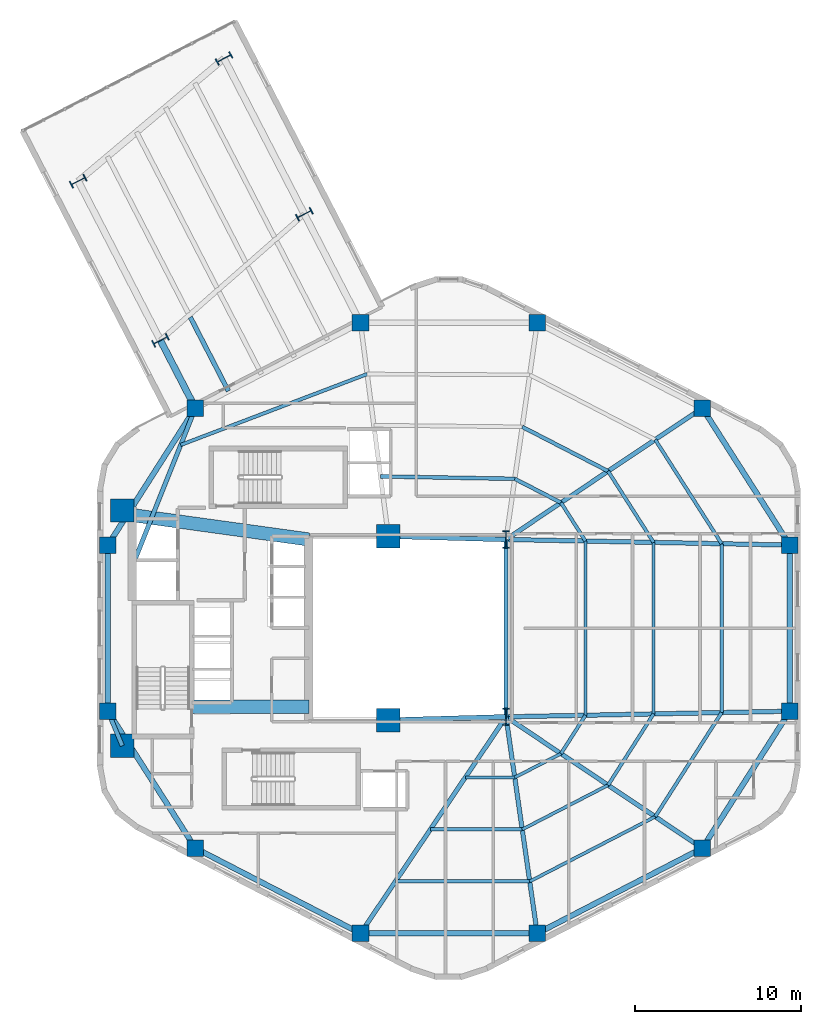
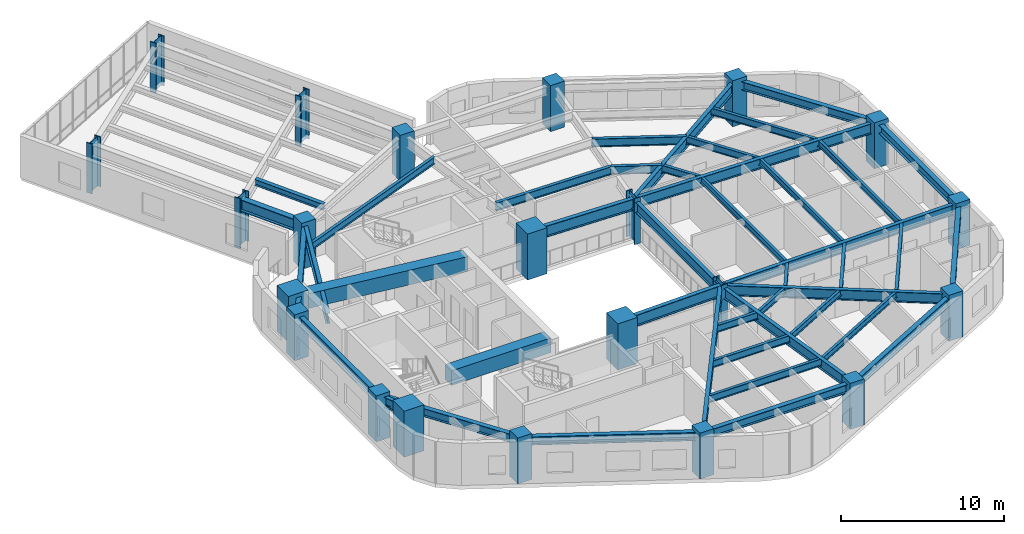
# One storey, part 1 of 11: 43 beams, 22 columns.
"""IFC4 building model written with IfcOpenShell, lengths in metres."""

from ifc_helpers import new_model, si_unit, direction, frame, origin, origin_2d, place, context, subcontext, project, spatial, rectangle, i_section, extrude, material, material_profile, profile_set, type_object, element, save


model = new_model("IFC4")

# Units and contexts
model_context = context("Model", 3, precision=1e-05, world=origin(), true_north=direction((0.0, 1.0)))
body_context = subcontext(model_context, "Body", "Model", "MODEL_VIEW")
ifc_project = project(units=[si_unit("LENGTHUNIT", "METRE"), si_unit("AREAUNIT", "SQUARE_METRE"), si_unit("VOLUMEUNIT", "CUBIC_METRE"), si_unit("PLANEANGLEUNIT", "RADIAN"), si_unit("MASSUNIT", "GRAM", prefix="KILO"), si_unit("THERMODYNAMICTEMPERATUREUNIT", "KELVIN"), si_unit("POWERUNIT", "WATT")], contexts=[model_context])

# Site, building, storey
site_placement = place(None, origin())
site = spatial("IfcSite", under=ifc_project, at=site_placement, CompositionType="ELEMENT")
building_placement = place(site_placement, origin())
building = spatial("IfcBuilding", under=site, at=building_placement, Name="Skarre Station Tower", CompositionType="ELEMENT")
storey_placement = place(building_placement, frame((0.0, 0.0, 139.5)))
storey = spatial("IfcBuildingStorey", under=building, at=storey_placement, Name="L37", CompositionType="ELEMENT", Elevation=139.5)

# Columns
ifc_material_1 = material(Name="Concrete C60/75", Category="concrete")
ifc_material_profile_1 = material_profile(ifc_material_1, rectangle(XDim=1.0, YDim=1.0, at=origin_2d()), Name="Concrete C60/75")
ifc_profile_set_1 = profile_set([ifc_material_profile_1], Name="Concrete C60/75")
column_type_1 = type_object("IfcColumnType", Name="RC Structural Column RC-COL-1000X1000", PredefinedType="COLUMN", material=ifc_profile_set_1)
for number, where, z_axis, x_axis, name in (
    (1, (51.291015625, 37.277099609375, 0.0), (0.0, 0.0, 1.0), (1.0, 0.0, 0.0), "L37 Zone 2 Perimeter Column F0C1"),
    (2, (41.3310546875, 42.41796875, 0.0), (0.0, 0.0, 1.0), (1.0, 0.0, 0.0), "L37 Zone 2 Perimeter Column F0C2"),
    (3, (30.6689453125, 42.41796875, 0.0), (0.0, 0.0, 1.0), (1.0, 0.0, 0.0), "L37 Zone 2 Perimeter Column F1C1"),
    (4, (20.708984375, 37.277099609375, 0.0), (0.0, 0.0, 1.0), (1.0, 0.0, 0.0), "L37 Zone 2 Perimeter Column F1C2"),
    (5, (15.431884765625, 29.010986328125, 0.0), (0.0, 0.0, 1.0), (1.0, 0.0, 0.0), "L37 Zone 2 Perimeter Column F2C1"),
    (6, (15.431884765625, 18.989013671875, 0.0), (0.0, 0.0, 1.0), (1.0, 0.0, 0.0), "L37 Zone 2 Perimeter Column F2C2"),
    (7, (20.708984375, 10.722900390625, 0.0), (0.0, 0.0, 1.0), (1.0, 0.0, 0.0), "L37 Zone 2 Perimeter Column F3C1"),
    (8, (30.6689453125, 5.58203125, 0.0), (0.0, 0.0, 1.0), (1.0, 0.0, 0.0), "L37 Zone 2 Perimeter Column F3C2"),
    (9, (41.3310546875, 5.58203125, 0.0), (0.0, 0.0, 1.0), (1.0, 0.0, 0.0), "L37 Zone 2 Perimeter Column F4C1"),
    (10, (51.291015625, 10.722900390625, 0.0), (0.0, 0.0, 1.0), (1.0, 0.0, 0.0), "L37 Zone 2 Perimeter Column F4C2"),
    (11, (56.568115234375, 18.989013671875, 0.0), (0.0, 0.0, 1.0), (1.0, 0.0, 0.0), "L37 Zone 2 Perimeter Column F5C1"),
    (12, (56.568115234375, 29.010986328125, 0.0), (0.0, 0.0, 1.0), (1.0, 0.0, 0.0), "L37 Zone 2 Perimeter Column F5C2"),
):
    element("IfcColumn", number, at=place(storey_placement, frame(where, z_axis=z_axis, x_axis=x_axis)), inside=storey, type_object=column_type_1, Name=name, PredefinedType="COLUMN", context=body_context, shape_type="SweptSolid", body=[
        extrude(rectangle(XDim=1.0, YDim=1.0, at=origin_2d()), origin(), (0.0, 0.0, 1.0), 3.449951171875),
    ])
ifc_material_2 = material(Name="Concrete C70/85", Category="concrete")
ifc_material_profile_2 = material_profile(ifc_material_2, rectangle(XDim=1.39990234375, YDim=1.39990234375, at=origin_2d()), Name="Concrete C70/85")
ifc_profile_set_2 = profile_set([ifc_material_profile_2], Name="Concrete C70/85")
column_type_2 = type_object("IfcColumnType", Name="RC Structural Column RC-COL-1400X1400", PredefinedType="COLUMN", material=ifc_profile_set_2)
for number, where, z_axis, x_axis, name in (
    (13, (16.300048828125, 16.89990234375, 0.0), (0.0, 0.0, 1.0), (1.0, 0.0, 0.0), "L37 Core Column CC-SW"),
    (14, (16.300048828125, 31.10009765625, 0.0), (0.0, 0.0, 1.0), (1.0, 0.0, 0.0), "L37 Core Column CC-NW"),
    (15, (32.35009765625, 18.449951171875, 0.0), (0.0, 0.0, 1.0), (1.0, 0.0, 0.0), "L37 Core Column CC-SE"),
    (16, (32.35009765625, 29.550048828125, 0.0), (0.0, 0.0, 1.0), (1.0, 0.0, 0.0), "L37 Core Column CC-NE"),
):
    element("IfcColumn", number, at=place(storey_placement, frame(where, z_axis=z_axis, x_axis=x_axis)), inside=storey, type_object=column_type_2, Name=name, PredefinedType="COLUMN", context=body_context, shape_type="SweptSolid", body=[
        extrude(rectangle(XDim=1.39990234375, YDim=1.39990234375, at=origin_2d()), origin(), (0.0, 0.0, 1.0), 3.449951171875),
    ])
ifc_material_3 = material(Name="Steel ASTM A913 Grade 65", Category="steel")
ifc_material_profile_3 = material_profile(ifc_material_3, i_section(OverallWidth=0.430908203125, OverallDepth=0.987060546875, WebThickness=0.033935546875, FlangeThickness=0.06201171875, at=origin_2d()), Name="Steel ASTM A913 Grade 65")
ifc_profile_set_3 = profile_set([ifc_material_profile_3], Name="Steel ASTM A913 Grade 65")
column_type_3 = type_object("IfcColumnType", Name="Steel Column W36X441", PredefinedType="COLUMN", material=ifc_profile_set_3)
for number, where, z_axis, x_axis, name in (
    (17, (27.283935546875, 48.97607421875, -0.2900390625), (0.0, 0.0, 1.0), (-0.458649554484, 0.888617232655, 0.0), "L37 SB-3 Sky-Bar Frame Column M1"),
    (18, (18.59912109375, 41.364990234375, -0.2900390625), (0.0, 0.0, 1.0), (-0.458649554484, 0.888617232655, 0.0), "L37 SB-3 Sky-Bar Frame Column M2"),
    (19, (22.43603515625, 58.367919921875, -0.2900390625), (0.0, 0.0, 1.0), (-0.458649554484, 0.888617232655, 0.0), "L37 SB-3 Sky-Bar Frame Column T1"),
    (20, (13.64111328125, 50.969970703125, -0.2900390625), (0.0, 0.0, 1.0), (-0.458649554484, 0.888617232655, 0.0), "L37 SB-3 Sky-Bar Frame Column T2"),
):
    element("IfcColumn", number, at=place(storey_placement, frame(where, z_axis=z_axis, x_axis=x_axis)), inside=storey, type_object=column_type_3, Name=name, PredefinedType="COLUMN", context=body_context, shape_type="SweptSolid", body=[
        extrude(i_section(OverallWidth=0.430908203125, OverallDepth=0.987060546875, WebThickness=0.033935546875, FlangeThickness=0.06201171875, at=origin_2d()), origin(), (0.0, 0.0, 1.0), 3.739990234375),
    ])
ifc_material_profile_4 = material_profile(ifc_material_3, i_section(OverallWidth=0.409912109375, OverallDepth=1.041015625, WebThickness=0.031005859375, FlangeThickness=0.055908203125, at=origin_2d()), Name="Steel ASTM A913 Grade 65")
ifc_profile_set_4 = profile_set([ifc_material_profile_4], Name="Steel ASTM A913 Grade 65")
column_type_4 = type_object("IfcColumnType", Name="Steel Column W40X397", PredefinedType="COLUMN", material=ifc_profile_set_4)
for number, where, z_axis, x_axis, name in (
    (21, (39.449951171875, 18.64990234375, 0.0), (0.0, 0.0, 1.0), (1.0, 0.0, 0.0), "L37 Atrium Spine Column AC-SE"),
    (22, (39.449951171875, 29.35009765625, 0.0), (0.0, 0.0, 1.0), (1.0, 0.0, 0.0), "L37 Atrium Spine Column AC-NE"),
):
    element("IfcColumn", number, at=place(storey_placement, frame(where, z_axis=z_axis, x_axis=x_axis)), inside=storey, type_object=column_type_4, Name=name, PredefinedType="COLUMN", context=body_context, shape_type="SweptSolid", body=[
        extrude(i_section(OverallWidth=0.409912109375, OverallDepth=1.041015625, WebThickness=0.031005859375, FlangeThickness=0.055908203125, at=origin_2d()), origin(), (0.0, 0.0, 1.0), 3.449951171875),
    ])

# Beams
ifc_material_profile_5 = material_profile(ifc_material_2, rectangle(XDim=0.800048828125, YDim=1.10009765625, at=origin_2d()), Name="Concrete C70/85")
ifc_profile_set_5 = profile_set([ifc_material_profile_5], Name="Concrete C70/85")
beam_type_1 = type_object("IfcBeamType", Name="RC Core Coupling Lintel 800x1100", PredefinedType="LINTEL", material=ifc_profile_set_5)
beam_1_placement = place(storey_placement, frame((20.489990234375, 19.260009765625, 2.610107421875), z_axis=(1.0, 0.0, 0.0), x_axis=(0.0, 1.0, 0.0)))
element("IfcBeam", 23, at=beam_1_placement, inside=storey, type_object=beam_type_1, Name="L37 South Core Coupling Lintel", PredefinedType="LINTEL", context=body_context, shape_type="SweptSolid", body=[
    extrude(rectangle(XDim=0.800048828125, YDim=1.10009765625, at=origin_2d()), origin(), (0.0, 0.0, 1.0), 7.06005859375),
])
beam_2_placement = place(storey_placement, frame((17.050048828125, 30.800048828125, 2.610107421875), z_axis=(0.990599723633, -0.136792498109, 0.0), x_axis=(0.136792498109, 0.990599723633, 0.0)))
element("IfcBeam", 24, at=beam_2_placement, inside=storey, type_object=beam_type_1, Name="L37 North Core Coupling Lintel", PredefinedType="LINTEL", context=body_context, shape_type="SweptSolid", body=[
    extrude(rectangle(XDim=0.800048828125, YDim=1.10009765625, at=origin_2d()), origin(), (0.0, 0.0, 1.0), 10.599609375),
])
ifc_material_4 = material(Name="Steel ASTM A992 Grade 50", Category="steel")
ifc_material_profile_6 = material_profile(ifc_material_4, i_section(OverallWidth=0.26806640625, OverallDepth=0.77001953125, WebThickness=0.01611328125, FlangeThickness=0.02490234375, at=origin_2d()), Name="Steel ASTM A992 Grade 50")
ifc_profile_set_6 = profile_set([ifc_material_profile_6], Name="Steel ASTM A992 Grade 50")
beam_type_2 = type_object("IfcBeamType", Name="Steel Beam W30X132", PredefinedType="BEAM", material=ifc_profile_set_6)
beam_3_placement = place(storey_placement, frame((39.449951171875, 18.64990234375, 2.77490234375), z_axis=(0.0, 1.0, 0.0), x_axis=(-1.0, 0.0, 0.0)))
element("IfcBeam", 25, at=beam_3_placement, inside=storey, type_object=beam_type_2, Name="L37 Atrium East Edge Girder", PredefinedType="BEAM", context=body_context, shape_type="SweptSolid", body=[
    extrude(i_section(OverallWidth=0.26806640625, OverallDepth=0.77001953125, WebThickness=0.01611328125, FlangeThickness=0.02490234375, at=origin_2d()), origin(), (0.0, 0.0, 1.0), 10.7001953125),
])
beam_4_placement = place(storey_placement, frame((39.449951171875, 29.35009765625, 2.77490234375), z_axis=(0.830981218317, 0.556300471692, 0.0), x_axis=(-0.556300471692, 0.830981218317, 0.0)))
element("IfcBeam", 26, at=beam_4_placement, inside=storey, type_object=beam_type_2, Name="L37 Radial Floor Girder F0C1", PredefinedType="BEAM", context=body_context, shape_type="SweptSolid", body=[
    extrude(i_section(OverallWidth=0.26806640625, OverallDepth=0.77001953125, WebThickness=0.01611328125, FlangeThickness=0.02490234375, at=origin_2d()), origin(), (0.0, 0.0, 1.0), 14.24951171875),
])
beam_5_placement = place(storey_placement, frame((17.010009765625, 28.0, 2.77490234375), z_axis=(0.370366288946, 0.928885790618, 0.0), x_axis=(-0.928885790618, 0.370366288946, 0.0)))
element("IfcBeam", 27, at=beam_5_placement, inside=storey, type_object=beam_type_2, Name="L37 Radial Floor Girder F1C2", PredefinedType="BEAM", context=body_context, shape_type="SweptSolid", body=[
    extrude(i_section(OverallWidth=0.26806640625, OverallDepth=0.77001953125, WebThickness=0.01611328125, FlangeThickness=0.02490234375, at=origin_2d()), origin(), (0.0, 0.0, 1.0), 9.9873046875),
])
beam_6_placement = place(storey_placement, frame((16.300048828125, 16.89990234375, 2.77490234375), z_axis=(-0.383749333092, 0.923437301256, 0.0), x_axis=(-0.923437301256, -0.383749333092, 0.0)))
element("IfcBeam", 28, at=beam_6_placement, inside=storey, type_object=beam_type_2, Name="L37 Radial Floor Girder F2C2", PredefinedType="BEAM", context=body_context, shape_type="SweptSolid", body=[
    extrude(i_section(OverallWidth=0.26806640625, OverallDepth=0.77001953125, WebThickness=0.01611328125, FlangeThickness=0.02490234375, at=origin_2d()), origin(), (0.0, 0.0, 1.0), 2.26220703125),
])
beam_7_placement = place(storey_placement, frame((39.449951171875, 18.64990234375, 2.77490234375), z_axis=(-0.55773464691, -0.830019315219, 0.0), x_axis=(0.830019315219, -0.55773464691, 0.0)))
element("IfcBeam", 29, at=beam_7_placement, inside=storey, type_object=beam_type_2, Name="L37 Radial Floor Girder F3C2", PredefinedType="BEAM", context=body_context, shape_type="SweptSolid", body=[
    extrude(i_section(OverallWidth=0.26806640625, OverallDepth=0.77001953125, WebThickness=0.01611328125, FlangeThickness=0.02490234375, at=origin_2d()), origin(), (0.0, 0.0, 1.0), 15.744140625),
])
beam_8_placement = place(storey_placement, frame((39.449951171875, 18.64990234375, 2.77490234375), z_axis=(0.142480121776, -0.989797663616, 0.0), x_axis=(0.989797663616, 0.142480121776, 0.0)))
element("IfcBeam", 30, at=beam_8_placement, inside=storey, type_object=beam_type_2, Name="L37 Radial Floor Girder F4C1", PredefinedType="BEAM", context=body_context, shape_type="SweptSolid", body=[
    extrude(i_section(OverallWidth=0.26806640625, OverallDepth=0.77001953125, WebThickness=0.01611328125, FlangeThickness=0.02490234375, at=origin_2d()), origin(), (0.0, 0.0, 1.0), 13.20263671875),
])
beam_9_placement = place(storey_placement, frame((39.449951171875, 18.64990234375, 2.77490234375), z_axis=(0.830981218317, -0.556300471692, 0.0), x_axis=(0.556300471692, 0.830981218317, 0.0)))
element("IfcBeam", 31, at=beam_9_placement, inside=storey, type_object=beam_type_2, Name="L37 Radial Floor Girder F4C2", PredefinedType="BEAM", context=body_context, shape_type="SweptSolid", body=[
    extrude(i_section(OverallWidth=0.26806640625, OverallDepth=0.77001953125, WebThickness=0.01611328125, FlangeThickness=0.02490234375, at=origin_2d()), origin(), (0.0, 0.0, 1.0), 14.24951171875),
])
for number, where, z_axis, x_axis, name in (
    (32, (39.449951171875, 18.64990234375, 2.77490234375), (0.999803839107, 0.019806143142, 0.0), (-0.019806143142, 0.999803839107, 0.0), "L37 Radial Floor Girder F5C1"),
    (33, (39.449951171875, 29.35009765625, 2.77490234375), (0.999803839107, -0.019806143142, 0.0), (0.019806143142, 0.999803839107, 0.0), "L37 Radial Floor Girder F5C2"),
):
    element("IfcBeam", number, at=place(storey_placement, frame(where, z_axis=z_axis, x_axis=x_axis)), inside=storey, type_object=beam_type_2, Name=name, PredefinedType="BEAM", context=body_context, shape_type="SweptSolid", body=[
        extrude(i_section(OverallWidth=0.26806640625, OverallDepth=0.77001953125, WebThickness=0.01611328125, FlangeThickness=0.02490234375, at=origin_2d()), origin(), (0.0, 0.0, 1.0), 17.12158203125),
    ])
ifc_material_profile_7 = material_profile(ifc_material_4, i_section(OverallWidth=0.2919921875, OverallDepth=0.85888671875, WebThickness=0.01708984375, FlangeThickness=0.031005859375, at=origin_2d()), Name="Steel ASTM A992 Grade 50")
ifc_profile_set_7 = profile_set([ifc_material_profile_7], Name="Steel ASTM A992 Grade 50")
beam_type_3 = type_object("IfcBeamType", Name="Steel Beam W33X169", PredefinedType="BEAM", material=ifc_profile_set_7)
for number, where, z_axis, x_axis, name in (
    (34, (32.35009765625, 18.449951171875, 2.73095703125), (0.999603666405, 0.028151556095, 0.0), (-0.028151556095, 0.999603666405, 0.0), "L37 Atrium South Edge Girder"),
    (35, (32.35009765625, 29.550048828125, 2.73095703125), (0.999603666405, -0.028151556095, 0.0), (0.028151556095, 0.999603666405, 0.0), "L37 Atrium North Edge Girder"),
):
    element("IfcBeam", number, at=place(storey_placement, frame(where, z_axis=z_axis, x_axis=x_axis)), inside=storey, type_object=beam_type_3, Name=name, PredefinedType="BEAM", context=body_context, shape_type="SweptSolid", body=[
        extrude(i_section(OverallWidth=0.2919921875, OverallDepth=0.85888671875, WebThickness=0.01708984375, FlangeThickness=0.031005859375, at=origin_2d()), origin(), (0.0, 0.0, 1.0), 7.102783203125),
    ])
ifc_material_profile_8 = material_profile(ifc_material_4, i_section(OverallWidth=0.40087890625, OverallDepth=0.876953125, WebThickness=0.02197265625, FlangeThickness=0.0400390625, at=origin_2d()), Name="Steel ASTM A992 Grade 50")
ifc_profile_set_8 = profile_set([ifc_material_profile_8], Name="Steel ASTM A992 Grade 50")
beam_type_4 = type_object("IfcBeamType", Name="Steel Beam W33X263", PredefinedType="BEAM", material=ifc_profile_set_8)
beam_10_placement = place(storey_placement, frame((20.708984375, 37.277099609375, 2.720947265625), z_axis=(-0.458640216065, 0.88862205251, 0.0), x_axis=(-0.88862205251, -0.458640216065, 0.0)))
element("IfcBeam", 36, at=beam_10_placement, inside=storey, type_object=beam_type_4, Name="L37 SB-3 Side 2 Inner Girder", PredefinedType="BEAM", context=body_context, shape_type="SweptSolid", body=[
    extrude(i_section(OverallWidth=0.40087890625, OverallDepth=0.876953125, WebThickness=0.02197265625, FlangeThickness=0.0400390625, at=origin_2d()), origin(), (0.0, 0.0, 1.0), 4.600341796875),
])
ifc_material_profile_9 = material_profile(ifc_material_4, i_section(OverallWidth=0.19091796875, OverallDepth=0.45703125, WebThickness=0.009033203125, FlangeThickness=0.013916015625, at=origin_2d()), Name="Steel ASTM A992 Grade 50")
ifc_profile_set_9 = profile_set([ifc_material_profile_9], Name="Steel ASTM A992 Grade 50")
beam_type_5 = type_object("IfcBeamType", Name="Steel Joist W18X50", PredefinedType="JOIST", material=ifc_profile_set_9)
beam_11_placement = place(storey_placement, frame((39.97705078125, 14.990966796875, 2.930908203125), z_axis=(0.88861042596, 0.458662741975, 0.0), x_axis=(-0.458662741975, 0.88861042596, 0.0)))
element("IfcBeam", 37, at=beam_11_placement, inside=storey, type_object=beam_type_5, Name="L37 Auxiliary Composite Joist 13", PredefinedType="JOIST", context=body_context, shape_type="SweptSolid", body=[
    extrude(i_section(OverallWidth=0.19091796875, OverallDepth=0.45703125, WebThickness=0.009033203125, FlangeThickness=0.013916015625, at=origin_2d()), origin(), (0.0, 0.0, 1.0), 3.13720703125),
])
beam_12_placement = place(storey_placement, frame((40.427978515625, 11.85498046875, 2.930908203125), z_axis=(0.888614598919, 0.458654657218, 0.0), x_axis=(-0.458654657218, 0.888614598919, 0.0)))
element("IfcBeam", 38, at=beam_12_placement, inside=storey, type_object=beam_type_5, Name="L37 Auxiliary Composite Joist 14", PredefinedType="JOIST", context=body_context, shape_type="SweptSolid", body=[
    extrude(i_section(OverallWidth=0.19091796875, OverallDepth=0.45703125, WebThickness=0.009033203125, FlangeThickness=0.013916015625, at=origin_2d()), origin(), (0.0, 0.0, 1.0), 5.828125),
])
beam_13_placement = place(storey_placement, frame((40.8798828125, 8.718017578125, 2.930908203125), z_axis=(0.888603699553, 0.45867577344, 0.0), x_axis=(-0.45867577344, 0.888603699553, 0.0)))
element("IfcBeam", 39, at=beam_13_placement, inside=storey, type_object=beam_type_5, Name="L37 Auxiliary Composite Joist 15", PredefinedType="JOIST", context=body_context, shape_type="SweptSolid", body=[
    extrude(i_section(OverallWidth=0.19091796875, OverallDepth=0.45703125, WebThickness=0.009033203125, FlangeThickness=0.013916015625, at=origin_2d()), origin(), (0.0, 0.0, 1.0), 8.51806640625),
])
beam_14_placement = place(storey_placement, frame((44.242919921875, 18.7451171875, 2.930908203125), z_axis=(0.0, 1.0, 0.0), x_axis=(-1.0, 0.0, 0.0)))
element("IfcBeam", 40, at=beam_14_placement, inside=storey, type_object=beam_type_5, Name="L37 Auxiliary Composite Joist 19", PredefinedType="JOIST", context=body_context, shape_type="SweptSolid", body=[
    extrude(i_section(OverallWidth=0.19091796875, OverallDepth=0.45703125, WebThickness=0.009033203125, FlangeThickness=0.013916015625, at=origin_2d()), origin(), (0.0, 0.0, 1.0), 10.509765625),
])
beam_15_placement = place(storey_placement, frame((48.35107421875, 18.825927734375, 2.930908203125), z_axis=(0.0, 1.0, 0.0), x_axis=(-1.0, 0.0, 0.0)))
element("IfcBeam", 41, at=beam_15_placement, inside=storey, type_object=beam_type_5, Name="L37 Auxiliary Composite Joist 20", PredefinedType="JOIST", context=body_context, shape_type="SweptSolid", body=[
    extrude(i_section(OverallWidth=0.19091796875, OverallDepth=0.45703125, WebThickness=0.009033203125, FlangeThickness=0.013916015625, at=origin_2d()), origin(), (0.0, 0.0, 1.0), 10.34814453125),
])
beam_16_placement = place(storey_placement, frame((52.4599609375, 18.907958984375, 2.930908203125), z_axis=(0.0, 1.0, 0.0), x_axis=(-1.0, 0.0, 0.0)))
element("IfcBeam", 42, at=beam_16_placement, inside=storey, type_object=beam_type_5, Name="L37 Auxiliary Composite Joist 21", PredefinedType="JOIST", context=body_context, shape_type="SweptSolid", body=[
    extrude(i_section(OverallWidth=0.19091796875, OverallDepth=0.45703125, WebThickness=0.009033203125, FlangeThickness=0.013916015625, at=origin_2d()), origin(), (0.0, 0.0, 1.0), 10.18408203125),
])
ifc_material_profile_10 = material_profile(ifc_material_4, i_section(OverallWidth=0.280029296875, OverallDepth=0.462890625, WebThickness=0.010986328125, FlangeThickness=0.01708984375, at=origin_2d()), Name="Steel ASTM A992 Grade 50")
ifc_profile_set_10 = profile_set([ifc_material_profile_10], Name="Steel ASTM A992 Grade 50")
beam_type_6 = type_object("IfcBeamType", Name="Steel Joist W18X76", PredefinedType="JOIST", material=ifc_profile_set_10)
beam_17_placement = place(storey_placement, frame((22.700927734375, 38.304931640625, 2.927978515625), z_axis=(-0.458632994069, 0.888625779927, 0.0), x_axis=(-0.888625779927, -0.458632994069, 0.0)))
element("IfcBeam", 43, at=beam_17_placement, inside=storey, type_object=beam_type_6, Name="L37 SB-3 Inner Deck Joist 4", PredefinedType="JOIST", context=body_context, shape_type="SweptSolid", body=[
    extrude(i_section(OverallWidth=0.280029296875, OverallDepth=0.462890625, WebThickness=0.010986328125, FlangeThickness=0.01708984375, at=origin_2d()), origin(), (0.0, 0.0, 1.0), 5.012451171875),
])
ifc_material_profile_11 = material_profile(ifc_material_4, i_section(OverallWidth=0.208984375, OverallDepth=0.532958984375, WebThickness=0.010009765625, FlangeThickness=0.01611328125, at=origin_2d()), Name="Steel ASTM A992 Grade 50")
ifc_profile_set_11 = profile_set([ifc_material_profile_11], Name="Steel ASTM A992 Grade 50")
beam_type_7 = type_object("IfcBeamType", Name="Steel Joist W21X62", PredefinedType="JOIST", material=ifc_profile_set_11)
beam_18_placement = place(storey_placement, frame((31.072021484375, 39.330078125, 2.89306640625), z_axis=(-0.934681982826, -0.355485008094, 0.0), x_axis=(0.355485008094, -0.934681982826, 0.0)))
element("IfcBeam", 44, at=beam_18_placement, inside=storey, type_object=beam_type_7, Name="L37 Auxiliary Composite Joist 9", PredefinedType="JOIST", context=body_context, shape_type="SweptSolid", body=[
    extrude(i_section(OverallWidth=0.208984375, OverallDepth=0.532958984375, WebThickness=0.010009765625, FlangeThickness=0.01611328125, at=origin_2d()), origin(), (0.0, 0.0, 1.0), 12.037109375),
])
beam_19_placement = place(storey_placement, frame((36.990966796875, 14.990966796875, 2.89306640625), z_axis=(1.0, 0.0, 0.0), x_axis=(0.0, 1.0, 0.0)))
element("IfcBeam", 45, at=beam_19_placement, inside=storey, type_object=beam_type_7, Name="L37 Auxiliary Composite Joist 10", PredefinedType="JOIST", context=body_context, shape_type="SweptSolid", body=[
    extrude(i_section(OverallWidth=0.208984375, OverallDepth=0.532958984375, WebThickness=0.010009765625, FlangeThickness=0.01611328125, at=origin_2d()), origin(), (0.0, 0.0, 1.0), 2.986083984375),
])
beam_20_placement = place(storey_placement, frame((34.884033203125, 11.85498046875, 2.89306640625), z_axis=(1.0, 0.0, 0.0), x_axis=(0.0, 1.0, 0.0)))
element("IfcBeam", 46, at=beam_20_placement, inside=storey, type_object=beam_type_7, Name="L37 Auxiliary Composite Joist 11", PredefinedType="JOIST", context=body_context, shape_type="SweptSolid", body=[
    extrude(i_section(OverallWidth=0.208984375, OverallDepth=0.532958984375, WebThickness=0.010009765625, FlangeThickness=0.01611328125, at=origin_2d()), origin(), (0.0, 0.0, 1.0), 5.5439453125),
])
beam_21_placement = place(storey_placement, frame((32.77587890625, 8.718017578125, 2.89306640625), z_axis=(1.0, 0.0, 0.0), x_axis=(0.0, 1.0, 0.0)))
element("IfcBeam", 47, at=beam_21_placement, inside=storey, type_object=beam_type_7, Name="L37 Auxiliary Composite Joist 12", PredefinedType="JOIST", context=body_context, shape_type="SweptSolid", body=[
    extrude(i_section(OverallWidth=0.208984375, OverallDepth=0.532958984375, WebThickness=0.010009765625, FlangeThickness=0.01611328125, at=origin_2d()), origin(), (0.0, 0.0, 1.0), 8.10400390625),
])
beam_22_placement = place(storey_placement, frame((42.764892578125, 16.429931640625, 2.89306640625), z_axis=(0.538099948257, 0.84288103887, 0.0), x_axis=(-0.84288103887, 0.538099948257, 0.0)))
element("IfcBeam", 48, at=beam_22_placement, inside=storey, type_object=beam_type_7, Name="L37 Auxiliary Composite Joist 16", PredefinedType="JOIST", context=body_context, shape_type="SweptSolid", body=[
    extrude(i_section(OverallWidth=0.208984375, OverallDepth=0.532958984375, WebThickness=0.010009765625, FlangeThickness=0.01611328125, at=origin_2d()), origin(), (0.0, 0.0, 1.0), 2.746826171875),
])
beam_23_placement = place(storey_placement, frame((45.60693359375, 14.528076171875, 2.89306640625), z_axis=(0.538151254938, 0.842848282201, 0.0), x_axis=(-0.842848282201, 0.538151254938, 0.0)))
element("IfcBeam", 49, at=beam_23_placement, inside=storey, type_object=beam_type_7, Name="L37 Auxiliary Composite Joist 17", PredefinedType="JOIST", context=body_context, shape_type="SweptSolid", body=[
    extrude(i_section(OverallWidth=0.208984375, OverallDepth=0.532958984375, WebThickness=0.010009765625, FlangeThickness=0.01611328125, at=origin_2d()), origin(), (0.0, 0.0, 1.0), 5.09912109375),
])
beam_24_placement = place(storey_placement, frame((48.448974609375, 12.625, 2.89306640625), z_axis=(0.53809140179, 0.842886494921, 0.0), x_axis=(-0.842886494921, 0.53809140179, 0.0)))
element("IfcBeam", 50, at=beam_24_placement, inside=storey, type_object=beam_type_7, Name="L37 Auxiliary Composite Joist 18", PredefinedType="JOIST", context=body_context, shape_type="SweptSolid", body=[
    extrude(i_section(OverallWidth=0.208984375, OverallDepth=0.532958984375, WebThickness=0.010009765625, FlangeThickness=0.01611328125, at=origin_2d()), origin(), (0.0, 0.0, 1.0), 7.4541015625),
])
beam_25_placement = place(storey_placement, frame((44.242919921875, 29.2548828125, 2.89306640625), z_axis=(-0.538099948257, 0.84288103887, 0.0), x_axis=(-0.84288103887, -0.538099948257, 0.0)))
element("IfcBeam", 51, at=beam_25_placement, inside=storey, type_object=beam_type_7, Name="L37 Auxiliary Composite Joist 22", PredefinedType="JOIST", context=body_context, shape_type="SweptSolid", body=[
    extrude(i_section(OverallWidth=0.208984375, OverallDepth=0.532958984375, WebThickness=0.010009765625, FlangeThickness=0.01611328125, at=origin_2d()), origin(), (0.0, 0.0, 1.0), 2.746826171875),
])
beam_26_placement = place(storey_placement, frame((48.35107421875, 29.174072265625, 2.89306640625), z_axis=(-0.538151254938, 0.842848282201, 0.0), x_axis=(-0.842848282201, -0.538151254938, 0.0)))
element("IfcBeam", 52, at=beam_26_placement, inside=storey, type_object=beam_type_7, Name="L37 Auxiliary Composite Joist 23", PredefinedType="JOIST", context=body_context, shape_type="SweptSolid", body=[
    extrude(i_section(OverallWidth=0.208984375, OverallDepth=0.532958984375, WebThickness=0.010009765625, FlangeThickness=0.01611328125, at=origin_2d()), origin(), (0.0, 0.0, 1.0), 5.09912109375),
])
beam_27_placement = place(storey_placement, frame((52.4599609375, 29.092041015625, 2.89306640625), z_axis=(-0.53809140179, 0.842886494921, 0.0), x_axis=(-0.842886494921, -0.53809140179, 0.0)))
element("IfcBeam", 53, at=beam_27_placement, inside=storey, type_object=beam_type_7, Name="L37 Auxiliary Composite Joist 24", PredefinedType="JOIST", context=body_context, shape_type="SweptSolid", body=[
    extrude(i_section(OverallWidth=0.208984375, OverallDepth=0.532958984375, WebThickness=0.010009765625, FlangeThickness=0.01611328125, at=origin_2d()), origin(), (0.0, 0.0, 1.0), 7.4541015625),
])
ifc_material_profile_12 = material_profile(ifc_material_4, i_section(OverallWidth=0.22802734375, OverallDepth=0.60791015625, WebThickness=0.010986328125, FlangeThickness=0.01708984375, at=origin_2d()), Name="Steel ASTM A992 Grade 50")
ifc_profile_set_12 = profile_set([ifc_material_profile_12], Name="Steel ASTM A992 Grade 50")
beam_type_8 = type_object("IfcBeamType", Name="Steel Joist W24X76", PredefinedType="JOIST", material=ifc_profile_set_12)
beam_28_placement = place(storey_placement, frame((42.764892578125, 31.570068359375, 2.85595703125), z_axis=(-0.88861042596, 0.458662741975, 0.0), x_axis=(-0.458662741975, -0.88861042596, 0.0)))
element("IfcBeam", 54, at=beam_28_placement, inside=storey, type_object=beam_type_8, Name="L37 Secondary Floor Joist 1", PredefinedType="JOIST", context=body_context, shape_type="SweptSolid", body=[
    extrude(i_section(OverallWidth=0.22802734375, OverallDepth=0.60791015625, WebThickness=0.010986328125, FlangeThickness=0.01708984375, at=origin_2d()), origin(), (0.0, 0.0, 1.0), 3.13720703125),
])
beam_29_placement = place(storey_placement, frame((45.60693359375, 33.471923828125, 2.85595703125), z_axis=(-0.888614598919, 0.458654657218, 0.0), x_axis=(-0.458654657218, -0.888614598919, 0.0)))
element("IfcBeam", 55, at=beam_29_placement, inside=storey, type_object=beam_type_8, Name="L37 Secondary Floor Joist 2", PredefinedType="JOIST", context=body_context, shape_type="SweptSolid", body=[
    extrude(i_section(OverallWidth=0.22802734375, OverallDepth=0.60791015625, WebThickness=0.010986328125, FlangeThickness=0.01708984375, at=origin_2d()), origin(), (0.0, 0.0, 1.0), 5.828125),
])
beam_30_placement = place(storey_placement, frame((39.97705078125, 33.009033203125, 2.85595703125), z_axis=(-0.999841846049, 0.01778434396, 0.0), x_axis=(-0.01778434396, -0.999841846049, 0.0)))
element("IfcBeam", 56, at=beam_30_placement, inside=storey, type_object=beam_type_8, Name="L37 Secondary Floor Joist 4", PredefinedType="JOIST", context=body_context, shape_type="SweptSolid", body=[
    extrude(i_section(OverallWidth=0.22802734375, OverallDepth=0.60791015625, WebThickness=0.010986328125, FlangeThickness=0.01708984375, at=origin_2d()), origin(), (0.0, 0.0, 1.0), 8.099365234375),
])
ifc_material_profile_13 = material_profile(ifc_material_4, i_section(OverallWidth=0.327880859375, OverallDepth=0.6279296875, WebThickness=0.01708984375, FlangeThickness=0.028076171875, at=origin_2d()), Name="Steel ASTM A992 Grade 50")
ifc_profile_set_13 = profile_set([ifc_material_profile_13], Name="Steel ASTM A992 Grade 50")
beam_type_9 = type_object("IfcBeamType", Name="Steel Spandrel W24X146", PredefinedType="SPANDREL", material=ifc_profile_set_13)
beam_31_placement = place(storey_placement, frame((20.708984375, 37.277099609375, 2.845947265625), z_axis=(-0.538097547923, -0.842882571251, 0.0), x_axis=(0.842882571251, -0.538097547923, 0.0)))
element("IfcBeam", 57, at=beam_31_placement, inside=storey, type_object=beam_type_9, Name="L37 Facet Spandrel Beam 4", PredefinedType="SPANDREL", context=body_context, shape_type="SweptSolid", body=[
    extrude(i_section(OverallWidth=0.327880859375, OverallDepth=0.6279296875, WebThickness=0.01708984375, FlangeThickness=0.028076171875, at=origin_2d()), origin(), (0.0, 0.0, 1.0), 9.806884765625),
])
beam_32_placement = place(storey_placement, frame((15.431884765625, 29.010986328125, 2.845947265625), z_axis=(0.0, -1.0, 0.0), x_axis=(1.0, 0.0, 0.0)))
element("IfcBeam", 58, at=beam_32_placement, inside=storey, type_object=beam_type_9, Name="L37 Facet Spandrel Beam 5", PredefinedType="SPANDREL", context=body_context, shape_type="SweptSolid", body=[
    extrude(i_section(OverallWidth=0.327880859375, OverallDepth=0.6279296875, WebThickness=0.01708984375, FlangeThickness=0.028076171875, at=origin_2d()), origin(), (0.0, 0.0, 1.0), 10.02197265625),
])
beam_33_placement = place(storey_placement, frame((15.431884765625, 18.989013671875, 2.845947265625), z_axis=(0.538097547923, -0.842882571251, 0.0), x_axis=(0.842882571251, 0.538097547923, 0.0)))
element("IfcBeam", 59, at=beam_33_placement, inside=storey, type_object=beam_type_9, Name="L37 Facet Spandrel Beam 6", PredefinedType="SPANDREL", context=body_context, shape_type="SweptSolid", body=[
    extrude(i_section(OverallWidth=0.327880859375, OverallDepth=0.6279296875, WebThickness=0.01708984375, FlangeThickness=0.028076171875, at=origin_2d()), origin(), (0.0, 0.0, 1.0), 9.806884765625),
])
beam_34_placement = place(storey_placement, frame((20.708984375, 10.722900390625, 2.845947265625), z_axis=(0.888611779493, -0.458660119639, 0.0), x_axis=(0.458660119639, 0.888611779493, 0.0)))
element("IfcBeam", 60, at=beam_34_placement, inside=storey, type_object=beam_type_9, Name="L37 Facet Spandrel Beam 7", PredefinedType="SPANDREL", context=body_context, shape_type="SweptSolid", body=[
    extrude(i_section(OverallWidth=0.327880859375, OverallDepth=0.6279296875, WebThickness=0.01708984375, FlangeThickness=0.028076171875, at=origin_2d()), origin(), (0.0, 0.0, 1.0), 11.20849609375),
])
beam_35_placement = place(storey_placement, frame((30.6689453125, 5.58203125, 2.845947265625), z_axis=(1.0, 0.0, 0.0), x_axis=(0.0, 1.0, 0.0)))
element("IfcBeam", 61, at=beam_35_placement, inside=storey, type_object=beam_type_9, Name="L37 Facet Spandrel Beam 8", PredefinedType="SPANDREL", context=body_context, shape_type="SweptSolid", body=[
    extrude(i_section(OverallWidth=0.327880859375, OverallDepth=0.6279296875, WebThickness=0.01708984375, FlangeThickness=0.028076171875, at=origin_2d()), origin(), (0.0, 0.0, 1.0), 10.662109375),
])
beam_36_placement = place(storey_placement, frame((41.3310546875, 5.58203125, 2.845947265625), z_axis=(0.888611779493, 0.458660119639, 0.0), x_axis=(-0.458660119639, 0.888611779493, 0.0)))
element("IfcBeam", 62, at=beam_36_placement, inside=storey, type_object=beam_type_9, Name="L37 Facet Spandrel Beam 9", PredefinedType="SPANDREL", context=body_context, shape_type="SweptSolid", body=[
    extrude(i_section(OverallWidth=0.327880859375, OverallDepth=0.6279296875, WebThickness=0.01708984375, FlangeThickness=0.028076171875, at=origin_2d()), origin(), (0.0, 0.0, 1.0), 11.20849609375),
])
beam_37_placement = place(storey_placement, frame((51.291015625, 10.722900390625, 2.845947265625), z_axis=(0.538097547923, 0.842882571251, 0.0), x_axis=(-0.842882571251, 0.538097547923, 0.0)))
element("IfcBeam", 63, at=beam_37_placement, inside=storey, type_object=beam_type_9, Name="L37 Facet Spandrel Beam 10", PredefinedType="SPANDREL", context=body_context, shape_type="SweptSolid", body=[
    extrude(i_section(OverallWidth=0.327880859375, OverallDepth=0.6279296875, WebThickness=0.01708984375, FlangeThickness=0.028076171875, at=origin_2d()), origin(), (0.0, 0.0, 1.0), 9.806884765625),
])
beam_38_placement = place(storey_placement, frame((56.568115234375, 18.989013671875, 2.845947265625), z_axis=(0.0, 1.0, 0.0), x_axis=(-1.0, 0.0, 0.0)))
element("IfcBeam", 64, at=beam_38_placement, inside=storey, type_object=beam_type_9, Name="L37 Facet Spandrel Beam 11", PredefinedType="SPANDREL", context=body_context, shape_type="SweptSolid", body=[
    extrude(i_section(OverallWidth=0.327880859375, OverallDepth=0.6279296875, WebThickness=0.01708984375, FlangeThickness=0.028076171875, at=origin_2d()), origin(), (0.0, 0.0, 1.0), 10.02197265625),
])
beam_39_placement = place(storey_placement, frame((56.568115234375, 29.010986328125, 2.845947265625), z_axis=(-0.538097547923, 0.842882571251, 0.0), x_axis=(-0.842882571251, -0.538097547923, 0.0)))
element("IfcBeam", 65, at=beam_39_placement, inside=storey, type_object=beam_type_9, Name="L37 Facet Spandrel Beam 12", PredefinedType="SPANDREL", context=body_context, shape_type="SweptSolid", body=[
    extrude(i_section(OverallWidth=0.327880859375, OverallDepth=0.6279296875, WebThickness=0.01708984375, FlangeThickness=0.028076171875, at=origin_2d()), origin(), (0.0, 0.0, 1.0), 9.806884765625),
])

save(model, "model.ifc")
